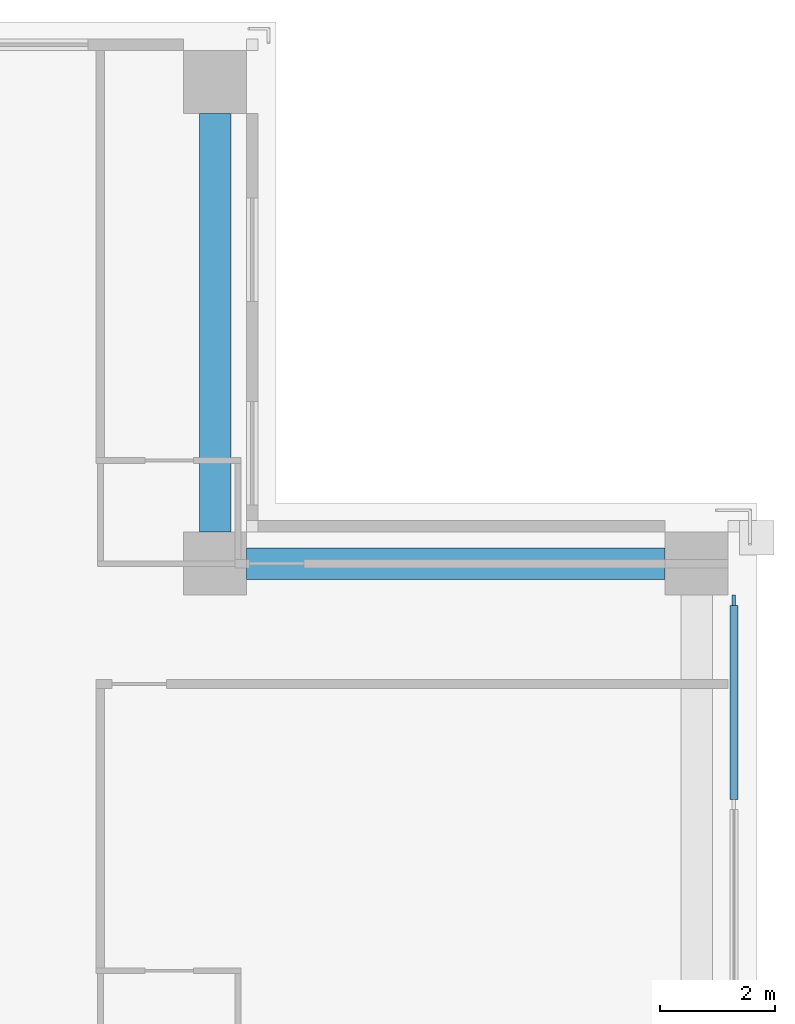
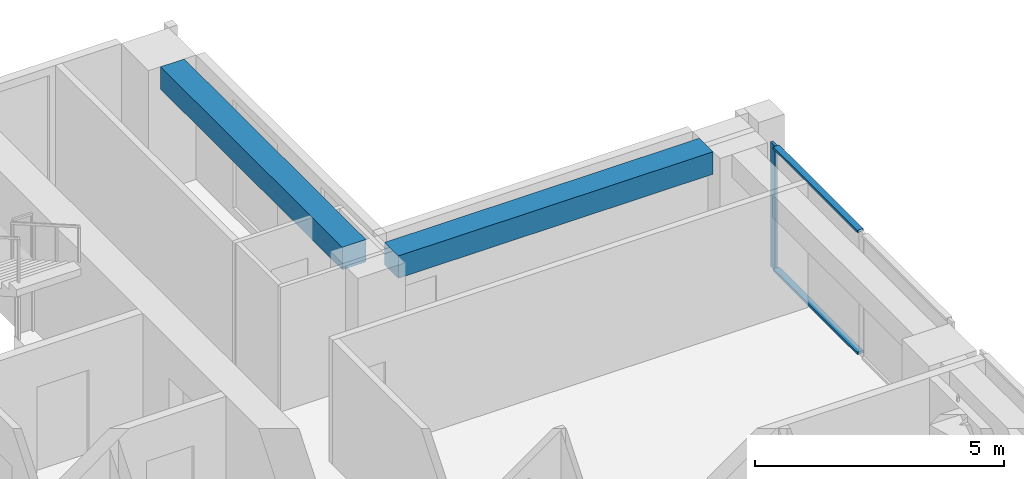
# One storey, part 7 of 16: 3 members, 2 beams, 1 element without a shape of its own.
"""IFC4 building model written with IfcOpenShell, lengths in metres."""

import ifcopenshell
import ifcopenshell.guid

model = None  # the IFC model being written
_history = None  # IfcOwnerHistory: only IFC2X3 demands one
_inside = {}  # id of a spatial element -> (the spatial element, [elements in it])
_under = {}  # id of a project, library or spatial element -> (it, [spatial elements below it])
_declared = {}  # id of a project -> (the project, [libraries it declares])
_typed = {}  # id of a type object -> (the type object, [elements of that type])
_made_of = {}  # id of a material, layer set ... -> (it, [elements and type objects made of it])


def new_model(schema):
    """Start an empty IFC model of exactly this schema.

    Asked for "IFC4X3", IfcOpenShell would pick the latest addendum, in which some entities
    have other attributes; the version numbers below select the first issue.
    IFC2X3 requires an IfcOwnerHistory on every rooted entity: one is made here for all.
    """
    global model, _history
    if schema == "IFC4X3":
        model = ifcopenshell.file(schema_version=(4, 3, 0, 0))
    else:
        model = ifcopenshell.file(schema=schema)
    _inside.clear()
    _under.clear()
    _declared.clear()
    _typed.clear()
    _made_of.clear()
    _history = None
    if model.schema == "IFC2X3":
        org = make("IfcOrganization", Name="unknown")
        user = make(
            "IfcPersonAndOrganization",
            ThePerson=make("IfcPerson", FamilyName="unknown"),
            TheOrganization=org,
        )
        app = make(
            "IfcApplication",
            ApplicationDeveloper=org,
            Version="unknown",
            ApplicationFullName="unknown",
            ApplicationIdentifier="unknown",
        )
        _history = make(
            "IfcOwnerHistory",
            OwningUser=user,
            OwningApplication=app,
            ChangeAction="ADDED",
            CreationDate=0,
        )
    return model


def make(cls, **values):
    """One entity of the class cls with the attributes given. An attribute that is None is left unset."""
    return model.create_entity(
        cls, **{name: value for name, value in values.items() if value is not None}
    )


def rooted(cls, **values):
    """An entity with a GlobalId (a new one), such as an element, a storey or a relation."""
    return make(cls, GlobalId=ifcopenshell.guid.new(), OwnerHistory=_history, **values)


def si_unit(unit_type, name, prefix=None):
    """IfcSIUnit, for example si_unit("LENGTHUNIT", "METRE", prefix="MILLI")."""
    return make("IfcSIUnit", UnitType=unit_type, Prefix=prefix, Name=name)


def assignment(units):
    """IfcUnitAssignment: the units of a project."""
    return None if units is None else make("IfcUnitAssignment", Units=units)


def point(xyz):
    """IfcCartesianPoint."""
    return None if xyz is None else make("IfcCartesianPoint", Coordinates=xyz)


def direction(xyz):
    """IfcDirection."""
    return None if xyz is None else make("IfcDirection", DirectionRatios=xyz)


def frame(location, z_axis=None, x_axis=None):
    """IfcAxis2Placement3D, a coordinate frame: its origin and axes. An axis left out is left unset."""
    return make(
        "IfcAxis2Placement3D",
        Location=point(location),
        Axis=direction(z_axis),
        RefDirection=direction(x_axis),
    )


def frame_2d(location, x_axis=None):
    """IfcAxis2Placement2D, a coordinate frame in the plane: its origin and x axis."""
    return make(
        "IfcAxis2Placement2D", Location=point(location), RefDirection=direction(x_axis)
    )


def origin():
    """The frame at (0, 0, 0) with its axes left unset."""
    return frame((0.0, 0.0, 0.0))


def origin_2d():
    """The frame at (0, 0) in the plane with its x axis left unset."""
    return frame_2d((0.0, 0.0))


def place(relative_to, where):
    """IfcLocalPlacement: puts the frame where relative to a parent placement (None: the world)."""
    return make(
        "IfcLocalPlacement", PlacementRelTo=relative_to, RelativePlacement=where
    )


def context(
    kind, dimensions, precision=None, world=None, true_north=None, identifier=None
):
    """IfcGeometricRepresentationContext, for example the 3D "Model" context."""
    return make(
        "IfcGeometricRepresentationContext",
        ContextIdentifier=identifier,
        ContextType=kind,
        CoordinateSpaceDimension=dimensions,
        Precision=precision,
        WorldCoordinateSystem=world,
        TrueNorth=true_north,
    )


def subcontext(parent, identifier, kind, view, scale=None):
    """IfcGeometricRepresentationSubContext, for example "Body" below "Model"."""
    return make(
        "IfcGeometricRepresentationSubContext",
        ContextIdentifier=identifier,
        ContextType=kind,
        ParentContext=parent,
        TargetScale=scale,
        TargetView=view,
    )


def project(units=None, contexts=None):
    """IfcProject with its units and contexts."""
    return rooted(
        "IfcProject",
        Name="project",
        RepresentationContexts=contexts,
        UnitsInContext=assignment(units),
    )


def spatial(cls, under=None, at=None, **own):
    """A site, building, storey or space (cls), placed at a placement, below another one or the project."""
    s = rooted(cls, ObjectPlacement=at, **own)
    if under is not None:
        _under.setdefault(under.id(), (under, []))[1].append(s)
    return s


def profile(cls, at=None, kind="AREA", **sizes):
    """A parametric profile (cls). Its sizes go by their IFC names, for example OverallWidth=200.0."""
    return make(cls, ProfileType=kind, Position=at, **sizes)


def rectangle(**sizes):
    """IfcRectangleProfileDef."""
    return profile("IfcRectangleProfileDef", **sizes)


def extrude(swept, where, along, depth):
    """IfcExtrudedAreaSolid: the profile swept, set in the frame where, extruded along a direction by depth."""
    return make(
        "IfcExtrudedAreaSolid",
        SweptArea=swept,
        Position=where,
        ExtrudedDirection=direction(along),
        Depth=depth,
    )


def shape(context_of_items, identifier, shape_type, items):
    """IfcShapeRepresentation: the items that make up one representation, for example the "Body"."""
    return make(
        "IfcShapeRepresentation",
        ContextOfItems=context_of_items,
        RepresentationIdentifier=identifier,
        RepresentationType=shape_type,
        Items=items,
    )


def material(Name=None, Category=None):
    """IfcMaterial."""
    return make("IfcMaterial", Name=Name, Category=Category)


def material_profile(
    of_material, cross_section, Name=None, Category=None, Priority=None
):
    """IfcMaterialProfile: a cross section and its material."""
    return make(
        "IfcMaterialProfile",
        Name=Name,
        Material=of_material,
        Profile=cross_section,
        Priority=Priority,
        Category=Category,
    )


def profile_set(profiles, Name=None, composite=None):
    """IfcMaterialProfileSet."""
    return make(
        "IfcMaterialProfileSet",
        Name=Name,
        MaterialProfiles=profiles,
        CompositeProfile=composite,
    )


def made_of(thing, what):
    """Note that an element or type object is made of a material, layer set ...; save() writes the relation."""
    if what is not None:
        _made_of.setdefault(what.id(), (what, []))[1].append(thing)
    return thing


def type_object(cls, material=None, **own):
    """A type object (cls), such as IfcWallType, which elements share."""
    return made_of(rooted(cls, **own), material)


def element(
    cls,
    number,
    at=None,
    inside=None,
    cuts=None,
    type_object=None,
    material=None,
    context=None,
    identifier="Body",
    shape_type=None,
    held_by="IfcProductDefinitionShape",
    body=None,
    shapes=None,
    **own,
):
    """One element of the class cls, such as IfcWall. Its Tag is "e" and its number.

    at: its placement. inside: the storey or other place that contains it. cuts: it is an
    opening in that element (IfcRelVoidsElement). A single representation is given by context,
    identifier, shape_type and body (its items); several are given by shapes. held_by: the class
    of the entity that holds the representations. save() writes the other relations.
    """
    e = rooted(cls, Tag="e%d" % number, ObjectPlacement=at, **own)
    if body is not None:
        shapes = [shape(context, identifier, shape_type, body)]
    if shapes is not None:
        e.Representation = make(held_by, Representations=shapes)
    if inside is not None:
        _inside.setdefault(inside.id(), (inside, []))[1].append(e)
    if cuts is not None:
        rooted(
            "IfcRelVoidsElement", RelatingBuildingElement=cuts, RelatedOpeningElement=e
        )
    if type_object is not None:
        _typed.setdefault(type_object.id(), (type_object, []))[1].append(e)
    return made_of(e, material)


def aggregate(whole, parts):
    """IfcRelAggregates: a whole, such as a stair, and the parts it consists of."""
    return rooted("IfcRelAggregates", RelatingObject=whole, RelatedObjects=parts)


def save(model, path):
    """Write the relations noted so far, then the file.

    IfcRelAggregates (storeys below a building ...), IfcRelContainedInSpatialStructure (elements
    in a storey), IfcRelDefinesByType, IfcRelAssociatesMaterial and IfcRelDeclares: one each for
    every whole, place, type object, material and project.
    """
    for whole, parts in _under.values():
        aggregate(whole, parts)
    for where, things in _inside.values():
        rooted(
            "IfcRelContainedInSpatialStructure",
            RelatedElements=things,
            RelatingStructure=where,
        )
    for kind, things in _typed.values():
        rooted("IfcRelDefinesByType", RelatedObjects=things, RelatingType=kind)
    for what, things in _made_of.values():
        rooted("IfcRelAssociatesMaterial", RelatedObjects=things, RelatingMaterial=what)
    for by, libraries in _declared.values():
        rooted("IfcRelDeclares", RelatingContext=by, RelatedDefinitions=libraries)
    model.write(path)


model = new_model("IFC4")

# Units and contexts
model_context = context("Model", 3, precision=1e-05, world=origin(), true_north=direction((0.0, 1.0)))
body_context = subcontext(model_context, "Body", "Model", "MODEL_VIEW")
ifc_project = project(units=[si_unit("LENGTHUNIT", "METRE"), si_unit("AREAUNIT", "SQUARE_METRE"), si_unit("VOLUMEUNIT", "CUBIC_METRE"), si_unit("PLANEANGLEUNIT", "RADIAN"), si_unit("MASSUNIT", "GRAM", prefix="KILO")], contexts=[model_context])

# Site, building, storey
site_placement = place(None, origin())
site = spatial("IfcSite", under=ifc_project, at=site_placement, CompositionType="ELEMENT")
building_placement = place(site_placement, origin())
building = spatial("IfcBuilding", under=site, at=building_placement, Name="Vermilion Ogive Tower", CompositionType="ELEMENT")
storey_placement = place(building_placement, frame((0.0, 0.0, 140.0)))
storey = spatial("IfcBuildingStorey", under=building, at=storey_placement, Name="L35", CompositionType="ELEMENT", Elevation=140.0)

# Curtain wall, members
ifc_material_1 = material(Name="Low-iron laminated glazing in aluminium frame", Category="aluminium")
curtain_wall_type = type_object("IfcCurtainWallType", Name="Curtain wall CW7", PredefinedType="NOTDEFINED", material=ifc_material_1)
curtain_wall_placement = place(storey_placement, origin())
curtain_wall = element("IfcCurtainWall", 1, at=curtain_wall_placement, inside=storey, type_object=curtain_wall_type, Name="Glazed skin E3", PredefinedType="NOTDEFINED")
ifc_material_2 = material(Name="Aluminium mullion", Category="aluminium")
ifc_material_profile_1 = material_profile(ifc_material_2, rectangle(XDim=0.06005859375, YDim=0.179931640625, at=origin_2d()), Name="AL 60x180")
ifc_profile_set_1 = profile_set([ifc_material_profile_1], Name="Aluminium mullion")
member_type_1 = type_object("IfcMemberType", Name="CW7 mullion 60x180", PredefinedType="MULLION", material=ifc_profile_set_1)
member_1_placement = place(storey_placement, frame((21.64990234375, 11.9599609375, 0.0), z_axis=(0.0, 0.0, 1.0), x_axis=(-1.0, 0.0, 0.0)))
member_1 = element("IfcMember", 2, at=member_1_placement, type_object=member_type_1, Name="CW7-E3 mullion 3", PredefinedType="MULLION", context=body_context, shape_type="SweptSolid", body=[
    extrude(rectangle(XDim=0.06005859375, YDim=0.179931640625, at=origin_2d()), origin(), (0.0, 0.0, 1.0), 3.050048828125),
])
ifc_material_3 = material(Name="Aluminium transom", Category="aluminium")
ifc_material_profile_2 = material_profile(ifc_material_3, rectangle(XDim=0.139892578125, YDim=0.06005859375, at=origin_2d()), Name="AL 60x140")
ifc_profile_set_2 = profile_set([ifc_material_profile_2], Name="Aluminium transom")
member_type_2 = type_object("IfcMemberType", Name="CW7 transom 60x140", PredefinedType="USERDEFINED", material=ifc_profile_set_2)
member_2_placement = place(storey_placement, frame((21.64990234375, 8.489990234375, 0.030029296875), z_axis=(0.0, 1.0, 0.0), x_axis=(-1.0, 0.0, 0.0)))
member_2 = element("IfcMember", 3, at=member_2_placement, type_object=member_type_2, Name="CW7-E3 transom 2.1", ObjectType="TRANSOM", PredefinedType="USERDEFINED", context=body_context, shape_type="SweptSolid", body=[
    extrude(rectangle(XDim=0.139892578125, YDim=0.06005859375, at=origin_2d()), origin(), (0.0, 0.0, 1.0), 3.380126953125),
])
member_3_placement = place(storey_placement, frame((21.64990234375, 8.489990234375, 3.02001953125), z_axis=(0.0, 1.0, 0.0), x_axis=(-1.0, 0.0, 0.0)))
member_3 = element("IfcMember", 4, at=member_3_placement, type_object=member_type_2, Name="CW7-E3 transom 2.2", ObjectType="TRANSOM", PredefinedType="USERDEFINED", context=body_context, shape_type="SweptSolid", body=[
    extrude(rectangle(XDim=0.139892578125, YDim=0.06005859375, at=origin_2d()), origin(), (0.0, 0.0, 1.0), 3.380126953125),
])
aggregate(curtain_wall, [member_1, member_2, member_3])

# Beams
ifc_material_4 = material(Name="Concrete B45", Category="concrete")
ifc_material_profile_3 = material_profile(ifc_material_4, rectangle(XDim=0.550048828125, YDim=0.550048828125, at=origin_2d()), Name="550 x 550")
ifc_profile_set_3 = profile_set([ifc_material_profile_3], Name="Concrete B45")
beam_type = type_object("IfcBeamType", Name="Edge beam 550 x 550 B45", PredefinedType="BEAM", material=ifc_profile_set_3)
for number, where, z_axis, x_axis, name in (
    (5, (20.449951171875, 12.60009765625, 2.77490234375), (-1.0, 0.0, 0.0), (0.0, -1.0, 0.0), "L35-EB-9"),
    (6, (12.60009765625, 13.14990234375, 2.77490234375), (0.0, 1.0, 0.0), (-1.0, 0.0, 0.0), "L35-EB-10"),
):
    element("IfcBeam", number, at=place(storey_placement, frame(where, z_axis=z_axis, x_axis=x_axis)), inside=storey, type_object=beam_type, Name=name, PredefinedType="BEAM", context=body_context, shape_type="SweptSolid", body=[
        extrude(rectangle(XDim=0.550048828125, YDim=0.550048828125, at=origin_2d()), origin(), (0.0, 0.0, 1.0), 7.300048828125),
    ])

save(model, "model.ifc")
